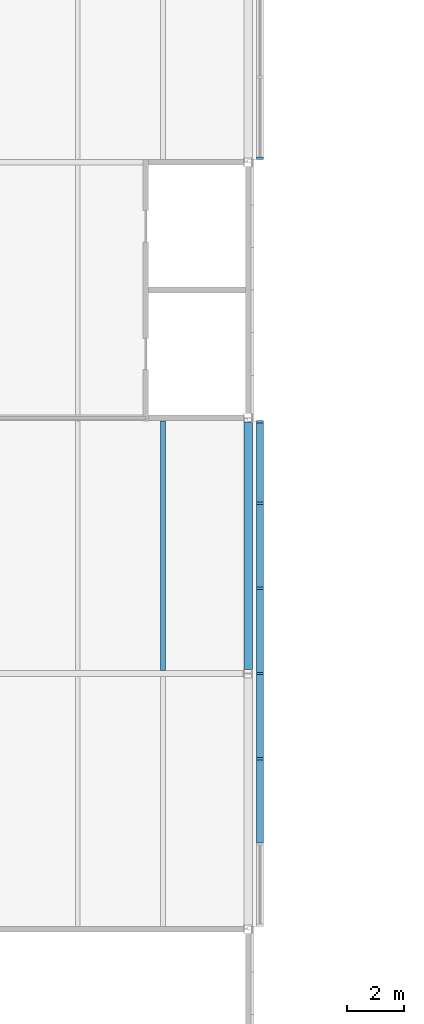
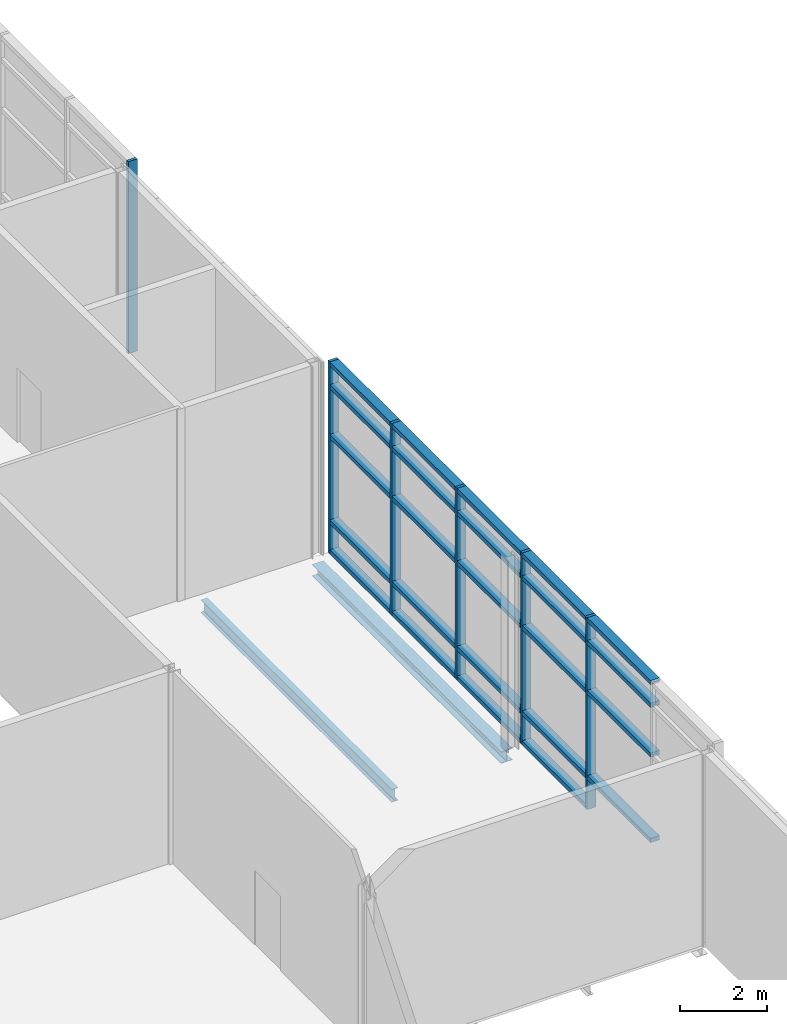
# One storey, part 12 of 46: 30 members, 2 beams, 2 elements without a shape of their own.
"""IFC4 building model written with IfcOpenShell, lengths in metres."""

from ifc_helpers import new_model, si_unit, direction, frame, origin, origin_2d, place, context, subcontext, project, spatial, rectangle, i_section, extrude, material, material_profile, profile_set, type_object, element, aggregate, save


model = new_model("IFC4")

# Units and contexts
model_context = context("Model", 3, precision=1e-05, world=origin(), true_north=direction((0.0, 1.0)))
body_context = subcontext(model_context, "Body", "Model", "MODEL_VIEW")
ifc_project = project(units=[si_unit("LENGTHUNIT", "METRE"), si_unit("AREAUNIT", "SQUARE_METRE"), si_unit("VOLUMEUNIT", "CUBIC_METRE"), si_unit("PLANEANGLEUNIT", "RADIAN"), si_unit("MASSUNIT", "GRAM", prefix="KILO")], contexts=[model_context])

# Site, building, storey
site_placement = place(None, origin())
site = spatial("IfcSite", under=ifc_project, at=site_placement, CompositionType="ELEMENT")
building_placement = place(site_placement, origin())
building = spatial("IfcBuilding", under=site, at=building_placement, Name="Azimuth Sports and Learning Centre", CompositionType="ELEMENT")
storey_placement = place(building_placement, frame((0.0, 0.0, 21.60009765625)))
storey = spatial("IfcBuildingStorey", under=building, at=storey_placement, Name="L04", CompositionType="ELEMENT", Elevation=21.60009765625)

# Beams
ifc_material_1 = material(Name="Steel S355", Category="steel")
ifc_material_profile_1 = material_profile(ifc_material_1, i_section(OverallWidth=0.300048828125, OverallDepth=0.330078125, WebThickness=0.009521484375, FlangeThickness=0.0166015625, FilletRadius=0.027099609375, at=origin_2d()), Name="HEA 340")
ifc_profile_set_1 = profile_set([ifc_material_profile_1], Name="Steel S355")
beam_type_1 = type_object("IfcBeamType", Name="Edge beam HEA 340", PredefinedType="SPANDREL", material=ifc_profile_set_1)
beam_1_placement = place(storey_placement, frame((99.0, 45.14990234375, -0.315185546875), z_axis=(0.0, 1.0, 0.0), x_axis=(-1.0, 0.0, 0.0)))
element("IfcBeam", 1, at=beam_1_placement, inside=storey, type_object=beam_type_1, Name="Edge beam L04 ST 44", PredefinedType="SPANDREL", context=body_context, shape_type="SweptSolid", body=[
    extrude(i_section(OverallWidth=0.300048828125, OverallDepth=0.330078125, WebThickness=0.009521484375, FlangeThickness=0.0166015625, FilletRadius=0.027099609375, at=origin_2d()), origin(), (0.0, 0.0, 1.0), 8.7001953125),
])
ifc_material_2 = material(Name="Steel S355", Category="steel")
ifc_material_profile_2 = material_profile(ifc_material_2, i_section(OverallWidth=0.169921875, OverallDepth=0.360107421875, WebThickness=0.008056640625, FlangeThickness=0.0126953125, FilletRadius=0.01806640625, at=origin_2d()), Name="IPE 360")
ifc_profile_set_2 = profile_set([ifc_material_profile_2], Name="Steel S355")
beam_type_2 = type_object("IfcBeamType", Name="Joist IPE 360", PredefinedType="JOIST", material=ifc_profile_set_2)
beam_2_placement = place(storey_placement, frame((96.0, 45.10009765625, -0.330078125), z_axis=(0.0, 1.0, 0.0), x_axis=(-1.0, 0.0, 0.0)))
element("IfcBeam", 2, at=beam_2_placement, inside=storey, type_object=beam_type_2, Name="Joist L04 ST 87", PredefinedType="JOIST", context=body_context, shape_type="SweptSolid", body=[
    extrude(i_section(OverallWidth=0.169921875, OverallDepth=0.360107421875, WebThickness=0.008056640625, FlangeThickness=0.0126953125, FilletRadius=0.01806640625, at=origin_2d()), origin(), (0.0, 0.0, 1.0), 8.7998046875),
])

# Curtain wall, members
ifc_material_3 = material(Name="Aluminium and glass", Category="aluminium")
curtain_wall_type = type_object("IfcCurtainWallType", Name="Curtain wall podium stem 240", PredefinedType="NOTDEFINED", material=ifc_material_3)
curtain_wall_1_placement = place(storey_placement, origin())
curtain_wall_1 = element("IfcCurtainWall", 3, at=curtain_wall_1_placement, inside=storey, type_object=curtain_wall_type, Name="Curtain wall CW04-007", PredefinedType="NOTDEFINED")
ifc_material_4 = material(Name="Aluminium", Category="aluminium")
ifc_material_profile_3 = material_profile(ifc_material_4, rectangle(XDim=0.239990234375, YDim=0.080078125, at=origin_2d()), Name="Mullion 80x240")
ifc_profile_set_3 = profile_set([ifc_material_profile_3], Name="Aluminium")
member_type_1 = type_object("IfcMemberType", Name="Mullion 80x240", PredefinedType="MULLION", material=ifc_profile_set_3)
member_1_placement = place(storey_placement, frame((99.419921875, 42.0, 0.0), z_axis=(0.0, 0.0, 1.0), x_axis=(-1.0, 0.0, 0.0)))
member_1 = element("IfcMember", 4, at=member_1_placement, type_object=member_type_1, Name="CW04-007 mullion 3", PredefinedType="MULLION", context=body_context, shape_type="SweptSolid", body=[
    extrude(rectangle(XDim=0.239990234375, YDim=0.080078125, at=origin_2d()), origin(), (0.0, 0.0, 1.0), 5.39990234375),
])
member_2_placement = place(storey_placement, frame((99.419921875, 45.0, 0.0), z_axis=(0.0, 0.0, 1.0), x_axis=(-1.0, 0.0, 0.0)))
member_2 = element("IfcMember", 5, at=member_2_placement, type_object=member_type_1, Name="CW04-007 mullion 4", PredefinedType="MULLION", context=body_context, shape_type="SweptSolid", body=[
    extrude(rectangle(XDim=0.239990234375, YDim=0.080078125, at=origin_2d()), origin(), (0.0, 0.0, 1.0), 5.39990234375),
])
member_3_placement = place(storey_placement, frame((99.419921875, 48.0, 0.0), z_axis=(0.0, 0.0, 1.0), x_axis=(-1.0, 0.0, 0.0)))
member_3 = element("IfcMember", 6, at=member_3_placement, type_object=member_type_1, Name="CW04-007 mullion 5", PredefinedType="MULLION", context=body_context, shape_type="SweptSolid", body=[
    extrude(rectangle(XDim=0.239990234375, YDim=0.080078125, at=origin_2d()), origin(), (0.0, 0.0, 1.0), 5.39990234375),
])
member_4_placement = place(storey_placement, frame((99.419921875, 51.0, 0.0), z_axis=(0.0, 0.0, 1.0), x_axis=(-1.0, 0.0, 0.0)))
member_4 = element("IfcMember", 7, at=member_4_placement, type_object=member_type_1, Name="CW04-007 mullion 6", PredefinedType="MULLION", context=body_context, shape_type="SweptSolid", body=[
    extrude(rectangle(XDim=0.239990234375, YDim=0.080078125, at=origin_2d()), origin(), (0.0, 0.0, 1.0), 5.39990234375),
])
member_5_placement = place(storey_placement, frame((99.419921875, 53.860107421875, 0.0), z_axis=(0.0, 0.0, 1.0), x_axis=(-1.0, 0.0, 0.0)))
member_5 = element("IfcMember", 8, at=member_5_placement, type_object=member_type_1, Name="CW04-007 mullion 7", PredefinedType="MULLION", context=body_context, shape_type="SweptSolid", body=[
    extrude(rectangle(XDim=0.239990234375, YDim=0.080078125, at=origin_2d()), origin(), (0.0, 0.0, 1.0), 5.39990234375),
])

# Curtain wall, member
curtain_wall_2_placement = place(storey_placement, origin())
curtain_wall_2 = element("IfcCurtainWall", 9, at=curtain_wall_2_placement, inside=storey, type_object=curtain_wall_type, Name="Curtain wall CW04-008", PredefinedType="NOTDEFINED")
member_6_placement = place(storey_placement, frame((99.419921875, 63.139892578125, 0.0), z_axis=(0.0, 0.0, 1.0), x_axis=(-1.0, 0.0, 0.0)))
member_6 = element("IfcMember", 10, at=member_6_placement, type_object=member_type_1, Name="CW04-008 mullion 1", PredefinedType="MULLION", context=body_context, shape_type="SweptSolid", body=[
    extrude(rectangle(XDim=0.239990234375, YDim=0.080078125, at=origin_2d()), origin(), (0.0, 0.0, 1.0), 5.39990234375),
])
aggregate(curtain_wall_2, [member_6])

# Member
ifc_material_5 = material(Name="Aluminium", Category="aluminium")
ifc_material_profile_4 = material_profile(ifc_material_5, rectangle(XDim=0.239990234375, YDim=0.1201171875, at=origin_2d()), Name="Transom 120x240")
ifc_profile_set_4 = profile_set([ifc_material_profile_4], Name="Aluminium")
member_type_2 = type_object("IfcMemberType", Name="Transom 120x240", PredefinedType="USERDEFINED", material=ifc_profile_set_4)
member_7_placement = place(storey_placement, frame((99.419921875, 39.0400390625, 0.89990234375), z_axis=(0.0, 1.0, 0.0), x_axis=(-1.0, 0.0, 0.0)))
member_7 = element("IfcMember", 11, at=member_7_placement, type_object=member_type_2, Name="CW04-007 transom 2.2", ObjectType="TRANSOM", PredefinedType="USERDEFINED", context=body_context, shape_type="SweptSolid", body=[
    extrude(rectangle(XDim=0.239990234375, YDim=0.1201171875, at=origin_2d()), origin(), (0.0, 0.0, 1.0), 2.919921875),
])

member_8_placement = place(storey_placement, frame((99.419921875, 39.0400390625, 3.2998046875), z_axis=(0.0, 1.0, 0.0), x_axis=(-1.0, 0.0, 0.0)))
member_8 = element("IfcMember", 12, at=member_8_placement, type_object=member_type_2, Name="CW04-007 transom 2.3", ObjectType="TRANSOM", PredefinedType="USERDEFINED", context=body_context, shape_type="SweptSolid", body=[
    extrude(rectangle(XDim=0.239990234375, YDim=0.1201171875, at=origin_2d()), origin(), (0.0, 0.0, 1.0), 2.919921875),
])

member_9_placement = place(storey_placement, frame((99.419921875, 39.0400390625, 4.699951171875), z_axis=(0.0, 1.0, 0.0), x_axis=(-1.0, 0.0, 0.0)))
member_9 = element("IfcMember", 13, at=member_9_placement, type_object=member_type_2, Name="CW04-007 transom 2.4", ObjectType="TRANSOM", PredefinedType="USERDEFINED", context=body_context, shape_type="SweptSolid", body=[
    extrude(rectangle(XDim=0.239990234375, YDim=0.1201171875, at=origin_2d()), origin(), (0.0, 0.0, 1.0), 2.919921875),
])

member_10_placement = place(storey_placement, frame((99.419921875, 39.0400390625, 5.33984375), z_axis=(0.0, 1.0, 0.0), x_axis=(-1.0, 0.0, 0.0)))
member_10 = element("IfcMember", 14, at=member_10_placement, type_object=member_type_2, Name="CW04-007 transom 2.5", ObjectType="TRANSOM", PredefinedType="USERDEFINED", context=body_context, shape_type="SweptSolid", body=[
    extrude(rectangle(XDim=0.239990234375, YDim=0.1201171875, at=origin_2d()), origin(), (0.0, 0.0, 1.0), 2.919921875),
])

member_11_placement = place(storey_placement, frame((99.419921875, 42.0400390625, 0.059814453125), z_axis=(0.0, 1.0, 0.0), x_axis=(-1.0, 0.0, 0.0)))
member_11 = element("IfcMember", 15, at=member_11_placement, type_object=member_type_2, Name="CW04-007 transom 3.1", ObjectType="TRANSOM", PredefinedType="USERDEFINED", context=body_context, shape_type="SweptSolid", body=[
    extrude(rectangle(XDim=0.239990234375, YDim=0.1201171875, at=origin_2d()), origin(), (0.0, 0.0, 1.0), 2.919921875),
])

member_12_placement = place(storey_placement, frame((99.419921875, 42.0400390625, 0.89990234375), z_axis=(0.0, 1.0, 0.0), x_axis=(-1.0, 0.0, 0.0)))
member_12 = element("IfcMember", 16, at=member_12_placement, type_object=member_type_2, Name="CW04-007 transom 3.2", ObjectType="TRANSOM", PredefinedType="USERDEFINED", context=body_context, shape_type="SweptSolid", body=[
    extrude(rectangle(XDim=0.239990234375, YDim=0.1201171875, at=origin_2d()), origin(), (0.0, 0.0, 1.0), 2.919921875),
])

member_13_placement = place(storey_placement, frame((99.419921875, 42.0400390625, 3.2998046875), z_axis=(0.0, 1.0, 0.0), x_axis=(-1.0, 0.0, 0.0)))
member_13 = element("IfcMember", 17, at=member_13_placement, type_object=member_type_2, Name="CW04-007 transom 3.3", ObjectType="TRANSOM", PredefinedType="USERDEFINED", context=body_context, shape_type="SweptSolid", body=[
    extrude(rectangle(XDim=0.239990234375, YDim=0.1201171875, at=origin_2d()), origin(), (0.0, 0.0, 1.0), 2.919921875),
])

member_14_placement = place(storey_placement, frame((99.419921875, 42.0400390625, 4.699951171875), z_axis=(0.0, 1.0, 0.0), x_axis=(-1.0, 0.0, 0.0)))
member_14 = element("IfcMember", 18, at=member_14_placement, type_object=member_type_2, Name="CW04-007 transom 3.4", ObjectType="TRANSOM", PredefinedType="USERDEFINED", context=body_context, shape_type="SweptSolid", body=[
    extrude(rectangle(XDim=0.239990234375, YDim=0.1201171875, at=origin_2d()), origin(), (0.0, 0.0, 1.0), 2.919921875),
])

member_15_placement = place(storey_placement, frame((99.419921875, 42.0400390625, 5.33984375), z_axis=(0.0, 1.0, 0.0), x_axis=(-1.0, 0.0, 0.0)))
member_15 = element("IfcMember", 19, at=member_15_placement, type_object=member_type_2, Name="CW04-007 transom 3.5", ObjectType="TRANSOM", PredefinedType="USERDEFINED", context=body_context, shape_type="SweptSolid", body=[
    extrude(rectangle(XDim=0.239990234375, YDim=0.1201171875, at=origin_2d()), origin(), (0.0, 0.0, 1.0), 2.919921875),
])

member_16_placement = place(storey_placement, frame((99.419921875, 45.0400390625, 0.059814453125), z_axis=(0.0, 1.0, 0.0), x_axis=(-1.0, 0.0, 0.0)))
member_16 = element("IfcMember", 20, at=member_16_placement, type_object=member_type_2, Name="CW04-007 transom 4.1", ObjectType="TRANSOM", PredefinedType="USERDEFINED", context=body_context, shape_type="SweptSolid", body=[
    extrude(rectangle(XDim=0.239990234375, YDim=0.1201171875, at=origin_2d()), origin(), (0.0, 0.0, 1.0), 2.919921875),
])

member_17_placement = place(storey_placement, frame((99.419921875, 45.0400390625, 0.89990234375), z_axis=(0.0, 1.0, 0.0), x_axis=(-1.0, 0.0, 0.0)))
member_17 = element("IfcMember", 21, at=member_17_placement, type_object=member_type_2, Name="CW04-007 transom 4.2", ObjectType="TRANSOM", PredefinedType="USERDEFINED", context=body_context, shape_type="SweptSolid", body=[
    extrude(rectangle(XDim=0.239990234375, YDim=0.1201171875, at=origin_2d()), origin(), (0.0, 0.0, 1.0), 2.919921875),
])

member_18_placement = place(storey_placement, frame((99.419921875, 45.0400390625, 3.2998046875), z_axis=(0.0, 1.0, 0.0), x_axis=(-1.0, 0.0, 0.0)))
member_18 = element("IfcMember", 22, at=member_18_placement, type_object=member_type_2, Name="CW04-007 transom 4.3", ObjectType="TRANSOM", PredefinedType="USERDEFINED", context=body_context, shape_type="SweptSolid", body=[
    extrude(rectangle(XDim=0.239990234375, YDim=0.1201171875, at=origin_2d()), origin(), (0.0, 0.0, 1.0), 2.919921875),
])

member_19_placement = place(storey_placement, frame((99.419921875, 45.0400390625, 4.699951171875), z_axis=(0.0, 1.0, 0.0), x_axis=(-1.0, 0.0, 0.0)))
member_19 = element("IfcMember", 23, at=member_19_placement, type_object=member_type_2, Name="CW04-007 transom 4.4", ObjectType="TRANSOM", PredefinedType="USERDEFINED", context=body_context, shape_type="SweptSolid", body=[
    extrude(rectangle(XDim=0.239990234375, YDim=0.1201171875, at=origin_2d()), origin(), (0.0, 0.0, 1.0), 2.919921875),
])

member_20_placement = place(storey_placement, frame((99.419921875, 45.0400390625, 5.33984375), z_axis=(0.0, 1.0, 0.0), x_axis=(-1.0, 0.0, 0.0)))
member_20 = element("IfcMember", 24, at=member_20_placement, type_object=member_type_2, Name="CW04-007 transom 4.5", ObjectType="TRANSOM", PredefinedType="USERDEFINED", context=body_context, shape_type="SweptSolid", body=[
    extrude(rectangle(XDim=0.239990234375, YDim=0.1201171875, at=origin_2d()), origin(), (0.0, 0.0, 1.0), 2.919921875),
])

member_21_placement = place(storey_placement, frame((99.419921875, 48.0400390625, 0.059814453125), z_axis=(0.0, 1.0, 0.0), x_axis=(-1.0, 0.0, 0.0)))
member_21 = element("IfcMember", 25, at=member_21_placement, type_object=member_type_2, Name="CW04-007 transom 5.1", ObjectType="TRANSOM", PredefinedType="USERDEFINED", context=body_context, shape_type="SweptSolid", body=[
    extrude(rectangle(XDim=0.239990234375, YDim=0.1201171875, at=origin_2d()), origin(), (0.0, 0.0, 1.0), 2.919921875),
])

member_22_placement = place(storey_placement, frame((99.419921875, 48.0400390625, 0.89990234375), z_axis=(0.0, 1.0, 0.0), x_axis=(-1.0, 0.0, 0.0)))
member_22 = element("IfcMember", 26, at=member_22_placement, type_object=member_type_2, Name="CW04-007 transom 5.2", ObjectType="TRANSOM", PredefinedType="USERDEFINED", context=body_context, shape_type="SweptSolid", body=[
    extrude(rectangle(XDim=0.239990234375, YDim=0.1201171875, at=origin_2d()), origin(), (0.0, 0.0, 1.0), 2.919921875),
])

member_23_placement = place(storey_placement, frame((99.419921875, 48.0400390625, 3.2998046875), z_axis=(0.0, 1.0, 0.0), x_axis=(-1.0, 0.0, 0.0)))
member_23 = element("IfcMember", 27, at=member_23_placement, type_object=member_type_2, Name="CW04-007 transom 5.3", ObjectType="TRANSOM", PredefinedType="USERDEFINED", context=body_context, shape_type="SweptSolid", body=[
    extrude(rectangle(XDim=0.239990234375, YDim=0.1201171875, at=origin_2d()), origin(), (0.0, 0.0, 1.0), 2.919921875),
])

member_24_placement = place(storey_placement, frame((99.419921875, 48.0400390625, 4.699951171875), z_axis=(0.0, 1.0, 0.0), x_axis=(-1.0, 0.0, 0.0)))
member_24 = element("IfcMember", 28, at=member_24_placement, type_object=member_type_2, Name="CW04-007 transom 5.4", ObjectType="TRANSOM", PredefinedType="USERDEFINED", context=body_context, shape_type="SweptSolid", body=[
    extrude(rectangle(XDim=0.239990234375, YDim=0.1201171875, at=origin_2d()), origin(), (0.0, 0.0, 1.0), 2.919921875),
])

member_25_placement = place(storey_placement, frame((99.419921875, 48.0400390625, 5.33984375), z_axis=(0.0, 1.0, 0.0), x_axis=(-1.0, 0.0, 0.0)))
member_25 = element("IfcMember", 29, at=member_25_placement, type_object=member_type_2, Name="CW04-007 transom 5.5", ObjectType="TRANSOM", PredefinedType="USERDEFINED", context=body_context, shape_type="SweptSolid", body=[
    extrude(rectangle(XDim=0.239990234375, YDim=0.1201171875, at=origin_2d()), origin(), (0.0, 0.0, 1.0), 2.919921875),
])

member_26_placement = place(storey_placement, frame((99.419921875, 51.0400390625, 0.059814453125), z_axis=(0.0, 1.0, 0.0), x_axis=(-1.0, 0.0, 0.0)))
member_26 = element("IfcMember", 30, at=member_26_placement, type_object=member_type_2, Name="CW04-007 transom 6.1", ObjectType="TRANSOM", PredefinedType="USERDEFINED", context=body_context, shape_type="SweptSolid", body=[
    extrude(rectangle(XDim=0.239990234375, YDim=0.1201171875, at=origin_2d()), origin(), (0.0, 0.0, 1.0), 2.780029296875),
])

member_27_placement = place(storey_placement, frame((99.419921875, 51.0400390625, 0.89990234375), z_axis=(0.0, 1.0, 0.0), x_axis=(-1.0, 0.0, 0.0)))
member_27 = element("IfcMember", 31, at=member_27_placement, type_object=member_type_2, Name="CW04-007 transom 6.2", ObjectType="TRANSOM", PredefinedType="USERDEFINED", context=body_context, shape_type="SweptSolid", body=[
    extrude(rectangle(XDim=0.239990234375, YDim=0.1201171875, at=origin_2d()), origin(), (0.0, 0.0, 1.0), 2.780029296875),
])

member_28_placement = place(storey_placement, frame((99.419921875, 51.0400390625, 3.2998046875), z_axis=(0.0, 1.0, 0.0), x_axis=(-1.0, 0.0, 0.0)))
member_28 = element("IfcMember", 32, at=member_28_placement, type_object=member_type_2, Name="CW04-007 transom 6.3", ObjectType="TRANSOM", PredefinedType="USERDEFINED", context=body_context, shape_type="SweptSolid", body=[
    extrude(rectangle(XDim=0.239990234375, YDim=0.1201171875, at=origin_2d()), origin(), (0.0, 0.0, 1.0), 2.780029296875),
])

member_29_placement = place(storey_placement, frame((99.419921875, 51.0400390625, 4.699951171875), z_axis=(0.0, 1.0, 0.0), x_axis=(-1.0, 0.0, 0.0)))
member_29 = element("IfcMember", 33, at=member_29_placement, type_object=member_type_2, Name="CW04-007 transom 6.4", ObjectType="TRANSOM", PredefinedType="USERDEFINED", context=body_context, shape_type="SweptSolid", body=[
    extrude(rectangle(XDim=0.239990234375, YDim=0.1201171875, at=origin_2d()), origin(), (0.0, 0.0, 1.0), 2.780029296875),
])

member_30_placement = place(storey_placement, frame((99.419921875, 51.0400390625, 5.33984375), z_axis=(0.0, 1.0, 0.0), x_axis=(-1.0, 0.0, 0.0)))
member_30 = element("IfcMember", 34, at=member_30_placement, type_object=member_type_2, Name="CW04-007 transom 6.5", ObjectType="TRANSOM", PredefinedType="USERDEFINED", context=body_context, shape_type="SweptSolid", body=[
    extrude(rectangle(XDim=0.239990234375, YDim=0.1201171875, at=origin_2d()), origin(), (0.0, 0.0, 1.0), 2.780029296875),
])

aggregate(curtain_wall_1, [member_1, member_2, member_3, member_4, member_5, member_7, member_8, member_9, member_10, member_11, member_12, member_13, member_14, member_15, member_16, member_17, member_18, member_19, member_20, member_21, member_22, member_23, member_24, member_25, member_26, member_27, member_28, member_29, member_30])

save(model, "model.ifc")
